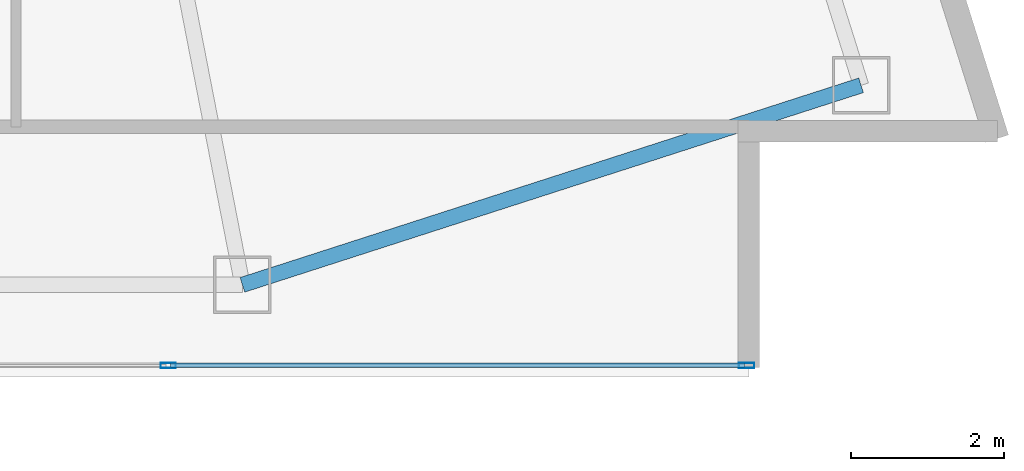
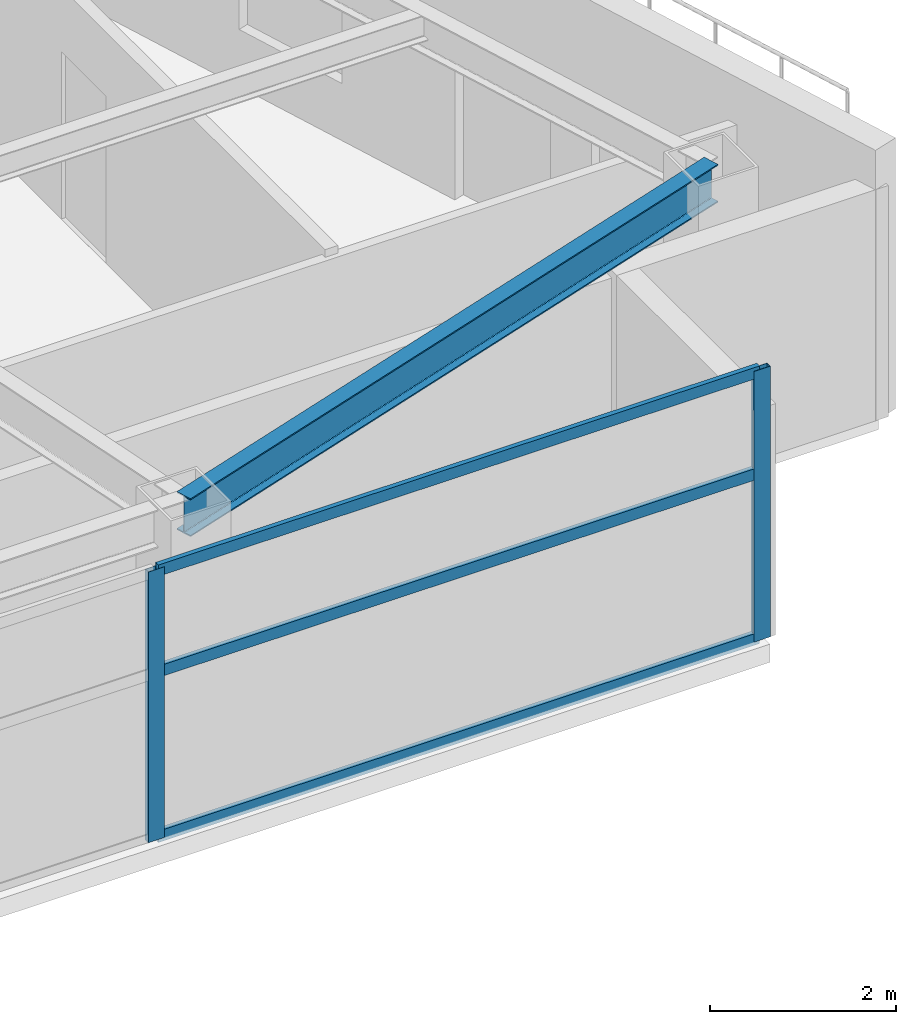
# One storey, part 14 of 29: 5 members, 1 beam, 1 element without a shape of its own.
"""IFC4 building model written with IfcOpenShell, lengths in metres."""

from ifc_helpers import new_model, si_unit, direction, frame, origin, origin_2d, place, context, subcontext, project, spatial, hollow_rectangle, i_section, extrude, material, layer, layer_set, material_profile, profile_set, type_object, element, aggregate, save


model = new_model("IFC4")

# Units and contexts
model_context = context("Model", 3, precision=1e-05, world=origin(), true_north=direction((0.0, 1.0)))
body_context = subcontext(model_context, "Body", "Model", "MODEL_VIEW")
ifc_project = project(units=[si_unit("LENGTHUNIT", "METRE"), si_unit("AREAUNIT", "SQUARE_METRE"), si_unit("VOLUMEUNIT", "CUBIC_METRE"), si_unit("PLANEANGLEUNIT", "RADIAN"), si_unit("MASSUNIT", "GRAM", prefix="KILO")], contexts=[model_context])

# Site, building, storey
site_placement = place(None, origin())
site = spatial("IfcSite", under=ifc_project, at=site_placement, CompositionType="ELEMENT")
building_placement = place(site_placement, origin())
building = spatial("IfcBuilding", under=site, at=building_placement, Name="Calvorn Quay Hotel", CompositionType="ELEMENT")
storey_placement = place(building_placement, frame((0.0, 0.0, 148.5)))
storey = spatial("IfcBuildingStorey", under=building, at=storey_placement, Name="L36", CompositionType="ELEMENT", Elevation=148.5)

# Beam
ifc_material_1 = material(Name="Steel Q355B", Category="steel")
ifc_material_profile_1 = material_profile(ifc_material_1, i_section(OverallWidth=0.199951171875, OverallDepth=0.5, WebThickness=0.010009765625, FlangeThickness=0.01611328125, FilletRadius=0.01611328125, at=origin_2d()), Name="HN500x200x10x16")
ifc_profile_set_1 = profile_set([ifc_material_profile_1], Name="Steel Q355B")
beam_type = type_object("IfcBeamType", Name="BM-SPANDREL-Z1", PredefinedType="SPANDREL", material=ifc_profile_set_1)
beam_placement = place(storey_placement, frame((49.39990234375, 3.60009765625, 3.2900390625), z_axis=(0.951725188386, 0.306951406237, 0.0), x_axis=(-0.306951406237, 0.951725188386, 0.0)))
element("IfcBeam", 1, at=beam_placement, inside=storey, type_object=beam_type, Name="Beam BSP-L36-S6", PredefinedType="SPANDREL", context=body_context, shape_type="SweptSolid", body=[
    extrude(i_section(OverallWidth=0.199951171875, OverallDepth=0.5, WebThickness=0.010009765625, FlangeThickness=0.01611328125, FilletRadius=0.01611328125, at=origin_2d()), origin(), (0.0, 0.0, 1.0), 8.469970703125),
])

# Curtain wall, members
ifc_material_2 = material(Name="Pale Anodised Aluminium and Low-E Glass", Category="aluminium")
ifc_layer = layer(ifc_material_2, 0.219970703125)
ifc_layer_set = layer_set([ifc_layer], Name="CW-SYS-Z2")
curtain_wall_type = type_object("IfcCurtainWallType", Name="CW-SYS-Z2", PredefinedType="NOTDEFINED", material=ifc_layer_set)
curtain_wall_placement = place(storey_placement, origin())
curtain_wall = element("IfcCurtainWall", 2, at=curtain_wall_placement, inside=storey, type_object=curtain_wall_type, Name="Tower South Waterfront Curtain Wall (L36)", PredefinedType="NOTDEFINED")
ifc_material_3 = material(Name="Pale Anodised Aluminium 6063-T6", Category="aluminium")
ifc_material_profile_2 = material_profile(ifc_material_3, hollow_rectangle(XDim=0.070068359375, YDim=0.199951171875, WallThickness=0.00390625, at=origin_2d()), Name="ALU-M200x70x4")
ifc_profile_set_2 = profile_set([ifc_material_profile_2], Name="Pale Anodised Aluminium 6063-T6")
member_type_1 = type_object("IfcMemberType", Name="CW-SYS-Z2-MUL", PredefinedType="MULLION", material=ifc_profile_set_2)
member_1_placement = place(storey_placement, frame((48.433349609375, 2.550048828125, 0.0), z_axis=(0.0, 0.0, 1.0), x_axis=(0.0, 1.0, 0.0)))
member_1 = element("IfcMember", 3, at=member_1_placement, type_object=member_type_1, Name="CW-L36-S mullion 6", PredefinedType="MULLION", context=body_context, shape_type="SweptSolid", body=[
    extrude(hollow_rectangle(XDim=0.070068359375, YDim=0.199951171875, WallThickness=0.00390625, at=origin_2d()), origin(), (0.0, 0.0, 1.0), 3.56005859375),
])
member_2_placement = place(storey_placement, frame((55.969970703125, 2.550048828125, 0.0), z_axis=(0.0, 0.0, 1.0), x_axis=(0.0, 1.0, 0.0)))
member_2 = element("IfcMember", 4, at=member_2_placement, type_object=member_type_1, Name="CW-L36-S mullion 7", PredefinedType="MULLION", context=body_context, shape_type="SweptSolid", body=[
    extrude(hollow_rectangle(XDim=0.070068359375, YDim=0.199951171875, WallThickness=0.00390625, at=origin_2d()), origin(), (0.0, 0.0, 1.0), 3.56005859375),
])
ifc_material_4 = material(Name="Pale Anodised Aluminium 6063-T6", Category="aluminium")
ifc_material_profile_3 = material_profile(ifc_material_4, hollow_rectangle(XDim=0.06005859375, YDim=0.14990234375, WallThickness=0.00341796875, at=origin_2d()), Name="ALU-T150x60x3.5")
ifc_profile_set_3 = profile_set([ifc_material_profile_3], Name="Pale Anodised Aluminium 6063-T6")
member_type_2 = type_object("IfcMemberType", Name="CW-SYS-Z2-TRN", PredefinedType="USERDEFINED", material=ifc_profile_set_3)
member_3_placement = place(storey_placement, frame((48.46337890625, 2.550048828125, 0.030029296875), z_axis=(1.0, 0.0, 0.0), x_axis=(0.0, 1.0, 0.0)))
member_3 = element("IfcMember", 5, at=member_3_placement, type_object=member_type_2, Name="CW-L36-S transom 6.1", ObjectType="TRANSOM", PredefinedType="USERDEFINED", context=body_context, shape_type="SweptSolid", body=[
    extrude(hollow_rectangle(XDim=0.06005859375, YDim=0.14990234375, WallThickness=0.00341796875, at=origin_2d()), origin(), (0.0, 0.0, 1.0), 7.4765625),
])
member_4_placement = place(storey_placement, frame((48.46337890625, 2.550048828125, 2.199951171875), z_axis=(1.0, 0.0, 0.0), x_axis=(0.0, 1.0, 0.0)))
member_4 = element("IfcMember", 6, at=member_4_placement, type_object=member_type_2, Name="CW-L36-S transom 6.2", ObjectType="TRANSOM", PredefinedType="USERDEFINED", context=body_context, shape_type="SweptSolid", body=[
    extrude(hollow_rectangle(XDim=0.06005859375, YDim=0.14990234375, WallThickness=0.00341796875, at=origin_2d()), origin(), (0.0, 0.0, 1.0), 7.4765625),
])
member_5_placement = place(storey_placement, frame((48.46337890625, 2.550048828125, 3.530029296875), z_axis=(1.0, 0.0, 0.0), x_axis=(0.0, 1.0, 0.0)))
member_5 = element("IfcMember", 7, at=member_5_placement, type_object=member_type_2, Name="CW-L36-S transom 6.3", ObjectType="TRANSOM", PredefinedType="USERDEFINED", context=body_context, shape_type="SweptSolid", body=[
    extrude(hollow_rectangle(XDim=0.06005859375, YDim=0.14990234375, WallThickness=0.00341796875, at=origin_2d()), origin(), (0.0, 0.0, 1.0), 7.4765625),
])
aggregate(curtain_wall, [member_1, member_2, member_3, member_4, member_5])

save(model, "model.ifc")
